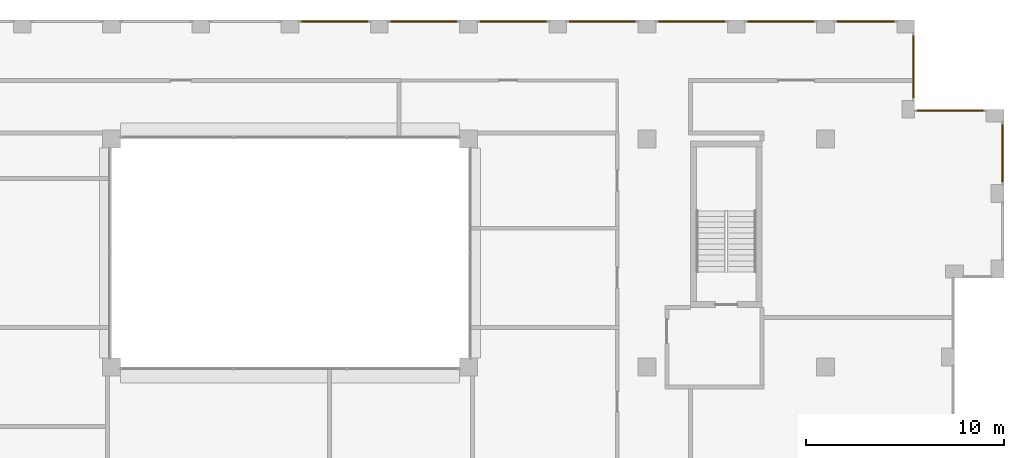
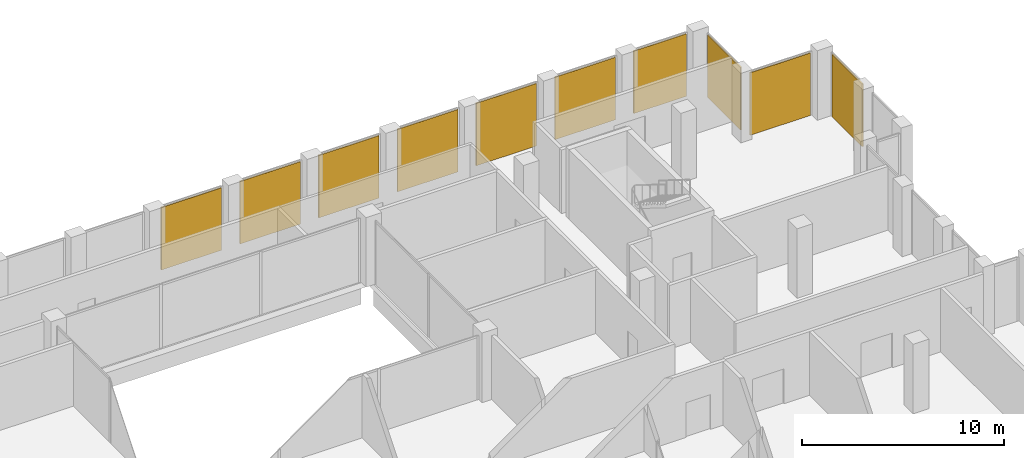
# One storey, part 15 of 15: 10 shading devices, 10 elements without a shape of their own.
"""IFC4 building model written with IfcOpenShell, lengths in metres."""

from ifc_helpers import new_model, si_unit, direction, frame, origin, origin_2d, place, context, subcontext, project, spatial, rectangle, extrude, material, layer, layer_set, type_object, element, aggregate, save


model = new_model("IFC4")

# Units and contexts
model_context = context("Model", 3, precision=1e-05, world=origin(), true_north=direction((0.0, 1.0)))
body_context = subcontext(model_context, "Body", "Model", "MODEL_VIEW")
ifc_project = project(units=[si_unit("LENGTHUNIT", "METRE"), si_unit("AREAUNIT", "SQUARE_METRE"), si_unit("VOLUMEUNIT", "CUBIC_METRE"), si_unit("PLANEANGLEUNIT", "RADIAN"), si_unit("MASSUNIT", "GRAM", prefix="KILO")], contexts=[model_context])

# Site, building, storey
site_placement = place(None, origin())
site = spatial("IfcSite", under=ifc_project, at=site_placement, CompositionType="ELEMENT")
building_placement = place(site_placement, origin())
building = spatial("IfcBuilding", under=site, at=building_placement, Name="Brigalow Station Residences", CompositionType="ELEMENT")
storey_placement = place(building_placement, frame((0.0, 0.0, 240.0)))
storey = spatial("IfcBuildingStorey", under=building, at=storey_placement, Name="L69", CompositionType="ELEMENT", Elevation=240.0)

# Curtain wall, shading device
ifc_material_1 = material(Name="Aluminium", Category="aluminium")
ifc_layer_1 = layer(ifc_material_1, 0.14990234375)
ifc_layer_set_1 = layer_set([ifc_layer_1], Name="CROWN CURTAIN WALL")
curtain_wall_type = type_object("IfcCurtainWallType", Name="CROWN CURTAIN WALL", PredefinedType="NOTDEFINED", material=ifc_layer_set_1)
curtain_wall_1_placement = place(storey_placement, origin())
curtain_wall_1 = element("IfcCurtainWall", 1, at=curtain_wall_1_placement, inside=storey, type_object=curtain_wall_type, Name="L69/cw/crown-W-L69-16-16", PredefinedType="NOTDEFINED")
ifc_material_2 = material(Name="Aluminium louvre blade", Category="aluminium")
ifc_layer_2 = layer(ifc_material_2, 0.074951171875)
ifc_layer_set_2 = layer_set([ifc_layer_2], Name="CROWN LOUVRE BAND 75")
shading_device_type = type_object("IfcShadingDeviceType", Name="CROWN LOUVRE BAND 75", PredefinedType="JALOUSIE", material=ifc_layer_set_2)
shading_device_1_placement = place(storey_placement, frame((71.925048828125, 34.77490234375, 0.0), z_axis=(0.0, 0.0, 1.0), x_axis=(0.0, 1.0, 0.0)))
shading_device_1 = element("IfcShadingDevice", 2, at=shading_device_1_placement, type_object=shading_device_type, Name="LOUVRE BAND crown-W-L69-16-16", PredefinedType="JALOUSIE", context=body_context, shape_type="SweptSolid", body=[
    extrude(rectangle(XDim=3.0, YDim=0.074951171875, at=origin_2d()), origin(), (0.0, 0.0, 1.0), 3.77490234375),
])
aggregate(curtain_wall_1, [shading_device_1])

curtain_wall_2_placement = place(storey_placement, origin())
curtain_wall_2 = element("IfcCurtainWall", 3, at=curtain_wall_2_placement, inside=storey, type_object=curtain_wall_type, Name="L69/cw/crown-W-L69-18-17", PredefinedType="NOTDEFINED")
shading_device_2_placement = place(storey_placement, frame((69.300048828125, 36.925048828125, 0.0), z_axis=(0.0, 0.0, 1.0), x_axis=(-1.0, 0.0, 0.0)))
shading_device_2 = element("IfcShadingDevice", 4, at=shading_device_2_placement, type_object=shading_device_type, Name="LOUVRE BAND crown-W-L69-18-17", PredefinedType="JALOUSIE", context=body_context, shape_type="SweptSolid", body=[
    extrude(rectangle(XDim=3.449951171875, YDim=0.074951171875, at=origin_2d()), origin(), (0.0, 0.0, 1.0), 3.77490234375),
])
aggregate(curtain_wall_2, [shading_device_2])

curtain_wall_3_placement = place(storey_placement, origin())
curtain_wall_3 = element("IfcCurtainWall", 5, at=curtain_wall_3_placement, inside=storey, type_object=curtain_wall_type, Name="L69/cw/crown-W-L69-19-18", PredefinedType="NOTDEFINED")
shading_device_3_placement = place(storey_placement, frame((67.425048828125, 39.14990234375, 0.0), z_axis=(0.0, 0.0, 1.0), x_axis=(0.0, 1.0, 0.0)))
shading_device_3 = element("IfcShadingDevice", 6, at=shading_device_3_placement, type_object=shading_device_type, Name="LOUVRE BAND crown-W-L69-19-18", PredefinedType="JALOUSIE", context=body_context, shape_type="SweptSolid", body=[
    extrude(rectangle(XDim=3.25, YDim=0.074951171875, at=origin_2d()), origin(), (0.0, 0.0, 1.0), 3.77490234375),
])
aggregate(curtain_wall_3, [shading_device_3])

curtain_wall_4_placement = place(storey_placement, origin())
curtain_wall_4 = element("IfcCurtainWall", 7, at=curtain_wall_4_placement, inside=storey, type_object=curtain_wall_type, Name="L69/cw/crown-W-L69-20-19", PredefinedType="NOTDEFINED")
shading_device_4_placement = place(storey_placement, frame((65.02490234375, 41.425048828125, 0.0), z_axis=(0.0, 0.0, 1.0), x_axis=(-1.0, 0.0, 0.0)))
shading_device_4 = element("IfcShadingDevice", 8, at=shading_device_4_placement, type_object=shading_device_type, Name="LOUVRE BAND crown-W-L69-20-19", PredefinedType="JALOUSIE", context=body_context, shape_type="SweptSolid", body=[
    extrude(rectangle(XDim=3.0, YDim=0.074951171875, at=origin_2d()), origin(), (0.0, 0.0, 1.0), 3.77490234375),
])
aggregate(curtain_wall_4, [shading_device_4])

curtain_wall_5_placement = place(storey_placement, origin())
curtain_wall_5 = element("IfcCurtainWall", 9, at=curtain_wall_5_placement, inside=storey, type_object=curtain_wall_type, Name="L69/cw/crown-W-L69-20-20", PredefinedType="NOTDEFINED")
shading_device_5_placement = place(storey_placement, frame((60.75, 41.425048828125, 0.0), z_axis=(0.0, 0.0, 1.0), x_axis=(-1.0, 0.0, 0.0)))
shading_device_5 = element("IfcShadingDevice", 10, at=shading_device_5_placement, type_object=shading_device_type, Name="LOUVRE BAND crown-W-L69-20-20", PredefinedType="JALOUSIE", context=body_context, shape_type="SweptSolid", body=[
    extrude(rectangle(XDim=3.449951171875, YDim=0.074951171875, at=origin_2d()), origin(), (0.0, 0.0, 1.0), 3.77490234375),
])
aggregate(curtain_wall_5, [shading_device_5])

curtain_wall_6_placement = place(storey_placement, origin())
curtain_wall_6 = element("IfcCurtainWall", 11, at=curtain_wall_6_placement, inside=storey, type_object=curtain_wall_type, Name="L69/cw/crown-W-L69-20-21", PredefinedType="NOTDEFINED")
shading_device_6_placement = place(storey_placement, frame((56.25, 41.425048828125, 0.0), z_axis=(0.0, 0.0, 1.0), x_axis=(-1.0, 0.0, 0.0)))
shading_device_6 = element("IfcShadingDevice", 12, at=shading_device_6_placement, type_object=shading_device_type, Name="LOUVRE BAND crown-W-L69-20-21", PredefinedType="JALOUSIE", context=body_context, shape_type="SweptSolid", body=[
    extrude(rectangle(XDim=3.449951171875, YDim=0.074951171875, at=origin_2d()), origin(), (0.0, 0.0, 1.0), 3.77490234375),
])
aggregate(curtain_wall_6, [shading_device_6])

curtain_wall_7_placement = place(storey_placement, origin())
curtain_wall_7 = element("IfcCurtainWall", 13, at=curtain_wall_7_placement, inside=storey, type_object=curtain_wall_type, Name="L69/cw/crown-W-L69-20-22", PredefinedType="NOTDEFINED")
shading_device_7_placement = place(storey_placement, frame((51.75, 41.425048828125, 0.0), z_axis=(0.0, 0.0, 1.0), x_axis=(-1.0, 0.0, 0.0)))
shading_device_7 = element("IfcShadingDevice", 14, at=shading_device_7_placement, type_object=shading_device_type, Name="LOUVRE BAND crown-W-L69-20-22", PredefinedType="JALOUSIE", context=body_context, shape_type="SweptSolid", body=[
    extrude(rectangle(XDim=3.449951171875, YDim=0.074951171875, at=origin_2d()), origin(), (0.0, 0.0, 1.0), 3.77490234375),
])
aggregate(curtain_wall_7, [shading_device_7])

curtain_wall_8_placement = place(storey_placement, origin())
curtain_wall_8 = element("IfcCurtainWall", 15, at=curtain_wall_8_placement, inside=storey, type_object=curtain_wall_type, Name="L69/cw/crown-W-L69-20-23", PredefinedType="NOTDEFINED")
shading_device_8_placement = place(storey_placement, frame((47.25, 41.425048828125, 0.0), z_axis=(0.0, 0.0, 1.0), x_axis=(-1.0, 0.0, 0.0)))
shading_device_8 = element("IfcShadingDevice", 16, at=shading_device_8_placement, type_object=shading_device_type, Name="LOUVRE BAND crown-W-L69-20-23", PredefinedType="JALOUSIE", context=body_context, shape_type="SweptSolid", body=[
    extrude(rectangle(XDim=3.449951171875, YDim=0.074951171875, at=origin_2d()), origin(), (0.0, 0.0, 1.0), 3.77490234375),
])
aggregate(curtain_wall_8, [shading_device_8])

curtain_wall_9_placement = place(storey_placement, origin())
curtain_wall_9 = element("IfcCurtainWall", 17, at=curtain_wall_9_placement, inside=storey, type_object=curtain_wall_type, Name="L69/cw/crown-W-L69-20-24", PredefinedType="NOTDEFINED")
shading_device_9_placement = place(storey_placement, frame((42.75, 41.425048828125, 0.0), z_axis=(0.0, 0.0, 1.0), x_axis=(-1.0, 0.0, 0.0)))
shading_device_9 = element("IfcShadingDevice", 18, at=shading_device_9_placement, type_object=shading_device_type, Name="LOUVRE BAND crown-W-L69-20-24", PredefinedType="JALOUSIE", context=body_context, shape_type="SweptSolid", body=[
    extrude(rectangle(XDim=3.449951171875, YDim=0.074951171875, at=origin_2d()), origin(), (0.0, 0.0, 1.0), 3.77490234375),
])
aggregate(curtain_wall_9, [shading_device_9])

curtain_wall_10_placement = place(storey_placement, origin())
curtain_wall_10 = element("IfcCurtainWall", 19, at=curtain_wall_10_placement, inside=storey, type_object=curtain_wall_type, Name="L69/cw/crown-W-L69-20-25", PredefinedType="NOTDEFINED")
shading_device_10_placement = place(storey_placement, frame((38.25, 41.425048828125, 0.0), z_axis=(0.0, 0.0, 1.0), x_axis=(-1.0, 0.0, 0.0)))
shading_device_10 = element("IfcShadingDevice", 20, at=shading_device_10_placement, type_object=shading_device_type, Name="LOUVRE BAND crown-W-L69-20-25", PredefinedType="JALOUSIE", context=body_context, shape_type="SweptSolid", body=[
    extrude(rectangle(XDim=3.449951171875, YDim=0.074951171875, at=origin_2d()), origin(), (0.0, 0.0, 1.0), 3.77490234375),
])
aggregate(curtain_wall_10, [shading_device_10])

save(model, "model.ifc")
